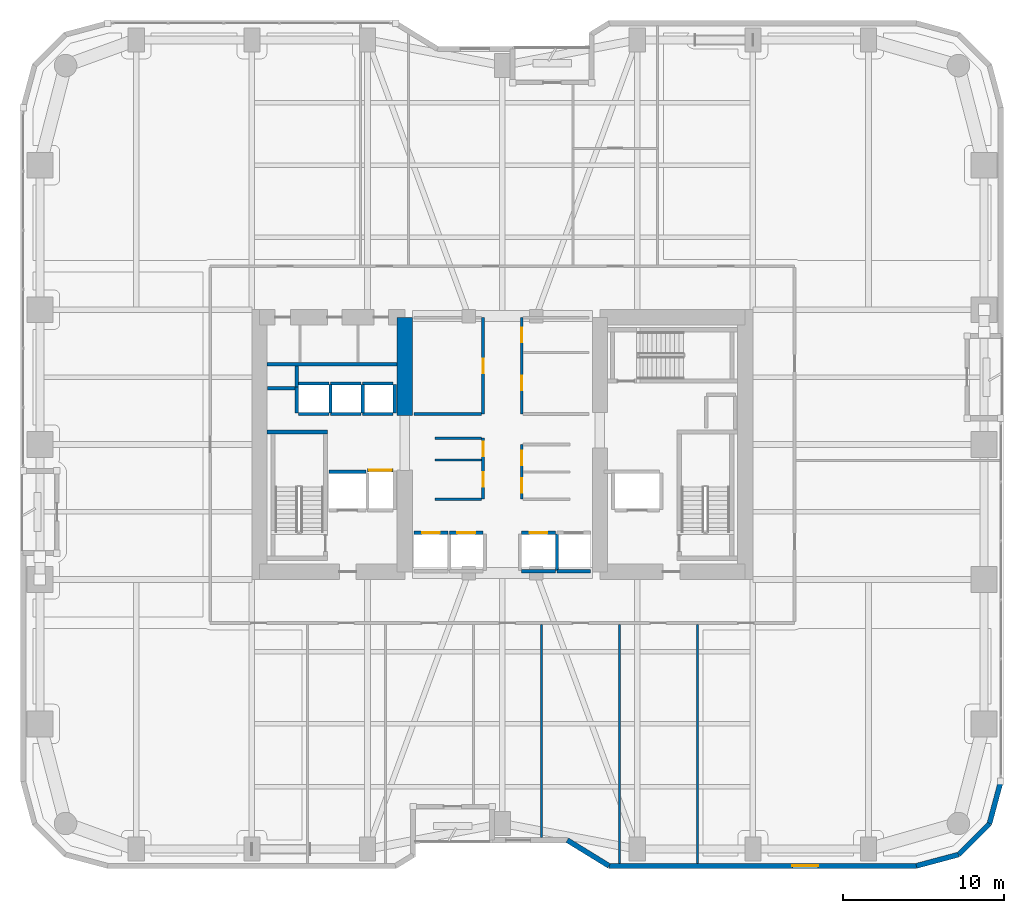
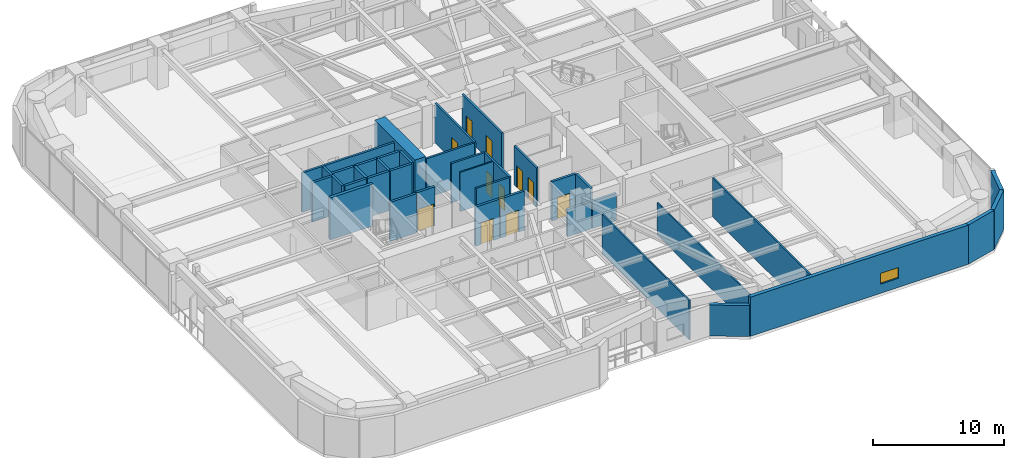
# One storey, part 23 of 29: 39 walls, 11 doors, 1 window, 12 openings.
"""IFC4 building model written with IfcOpenShell, lengths in metres."""

from ifc_helpers import new_model, si_unit, direction, frame, frame_2d, origin, place, context, subcontext, project, spatial, rectangle, extrude, material, layer, layer_set, type_object, element, fill, save


model = new_model("IFC4")

# Units and contexts
model_context = context("Model", 3, precision=1e-05, world=origin(), true_north=direction((0.0, 1.0)))
body_context = subcontext(model_context, "Body", "Model", "MODEL_VIEW")
ifc_project = project(units=[si_unit("LENGTHUNIT", "METRE"), si_unit("AREAUNIT", "SQUARE_METRE"), si_unit("VOLUMEUNIT", "CUBIC_METRE"), si_unit("PLANEANGLEUNIT", "RADIAN"), si_unit("MASSUNIT", "GRAM", prefix="KILO")], contexts=[model_context])

# Site, building, storey
site_placement = place(None, origin())
site = spatial("IfcSite", under=ifc_project, at=site_placement, CompositionType="ELEMENT")
building_placement = place(site_placement, origin())
building = spatial("IfcBuilding", under=site, at=building_placement, Name="Kiyonajd Concourse Tower", CompositionType="ELEMENT")
storey_placement = place(building_placement, frame((0.0, 0.0, 52.800048828125)))
storey = spatial("IfcBuildingStorey", under=building, at=storey_placement, Name="L14", CompositionType="ELEMENT", Elevation=52.800048828125)

# Walls
ifc_material_1 = material(Name="Concrete C80/95", Category="concrete")
ifc_layer_1 = layer(ifc_material_1, 0.949951171875)
ifc_layer_set_1 = layer_set([ifc_layer_1], Name="Concrete C80/95")
wall_type_1 = type_object("IfcWallType", Name="WL-CORE-950", PredefinedType="SHEAR", material=ifc_layer_set_1)
wall_1_placement = place(storey_placement, frame((41.925048828125, 37.800048828125, 0.0), z_axis=(0.0, 0.0, 1.0), x_axis=(0.0, 1.0, 0.0)))
element("IfcWall", 1, at=wall_1_placement, inside=storey, type_object=wall_type_1, Name="L14 West Core Inner North Shear Wall", PredefinedType="SHEAR", context=body_context, shape_type="SweptSolid", body=[
    extrude(rectangle(XDim=6.125, YDim=0.949951171875, at=frame_2d((3.0625, 0.0))), origin(), (0.0, 0.0, 1.0), 3.89990234375),
])
ifc_material_2 = material(Name="Precast concrete C50/60", Category="concrete")
ifc_layer_2 = layer(ifc_material_2, 0.320068359375)
ifc_layer_set_2 = layer_set([ifc_layer_2], Name="Precast concrete C50/60")
wall_type_2 = type_object("IfcWallType", Name="WL-EXT-320", PredefinedType="SOLIDWALL", material=ifc_layer_set_2)
wall_2_placement = place(storey_placement, frame((79.0400390625, 15.02099609375, 0.0), z_axis=(0.0, 0.0, 1.0), x_axis=(-0.25869736047, -0.965958423373, 0.0)))
element("IfcWall", 2, at=wall_2_placement, inside=storey, type_object=wall_type_2, Name="L14 Exterior Concrete Frame Wall 25", PredefinedType="SOLIDWALL", context=body_context, shape_type="SweptSolid", body=[
    extrude(rectangle(XDim=2.731201171875, YDim=0.320068359375, at=frame_2d((1.36572265625, 0.0))), origin(), (0.0, 0.0, 1.0), 3.639892578125),
])
wall_3_placement = place(storey_placement, frame((78.33349609375, 12.3828125, 0.0), z_axis=(0.0, 0.0, 1.0), x_axis=(-0.707106781187, -0.707106781187, 0.0)))
element("IfcWall", 3, at=wall_3_placement, inside=storey, type_object=wall_type_2, Name="L14 Exterior Concrete Frame Wall 26", PredefinedType="SOLIDWALL", context=body_context, shape_type="SweptSolid", body=[
    extrude(rectangle(XDim=2.7099609375, YDim=0.320068359375, at=frame_2d((1.35498046875, 0.0))), origin(), (0.0, 0.0, 1.0), 3.639892578125),
])
wall_4_placement = place(storey_placement, frame((76.417236328125, 10.466552734375, 0.0), z_axis=(0.0, 0.0, 1.0), x_axis=(-0.965964405026, -0.25867502435, 0.0)))
element("IfcWall", 4, at=wall_4_placement, inside=storey, type_object=wall_type_2, Name="L14 Exterior Concrete Frame Wall 27", PredefinedType="SOLIDWALL", context=body_context, shape_type="SweptSolid", body=[
    extrude(rectangle(XDim=2.7314453125, YDim=0.320068359375, at=frame_2d((1.36572265625, 0.0))), origin(), (0.0, 0.0, 1.0), 3.639892578125),
])

# Wall, opening, window
wall_5_placement = place(storey_placement, frame((73.77880859375, 9.760009765625, 0.0), z_axis=(0.0, 0.0, 1.0), x_axis=(-1.0, 0.0, 0.0)))
wall_5 = element("IfcWall", 5, at=wall_5_placement, inside=storey, type_object=wall_type_2, Name="L14 Exterior Concrete Frame Wall 28", PredefinedType="SOLIDWALL", context=body_context, shape_type="SweptSolid", body=[
    extrude(rectangle(XDim=19.133544921875, YDim=0.320068359375, at=frame_2d((9.56689453125, 0.0))), origin(), (0.0, 0.0, 1.0), 3.639892578125),
])
opening_1_placement = place(wall_5_placement, frame((6.114013671875, 0.0, 0.85009765625)))
opening_1 = element("IfcOpeningElement", 6, at=opening_1_placement, cuts=wall_5, Name="Opening WN6", PredefinedType="OPENING", context=body_context, shape_type="SweptSolid", body=[
    extrude(rectangle(XDim=1.60009765625, YDim=1.0, at=frame_2d((0.800048828125, 0.5))), frame((0.0, 0.169921875, 0.0), z_axis=(0.0, -1.0, 0.0), x_axis=(1.0, 0.0, 0.0)), (0.0, 0.0, 1.0), 0.340087890625),
])
ifc_material_3 = material(Name="Double Low-E Insulated Glass", Category="glass")
window_type = type_object("IfcWindowType", Name="WN-VIS-1600x1000", PartitioningType="SINGLE_PANEL", PredefinedType="WINDOW", material=ifc_material_3)
window_placement = place(opening_1_placement, origin())
window = element("IfcWindow", 7, at=window_placement, inside=storey, type_object=window_type, Name="L14 Modular Facade Vision Window 28", OverallHeight=1.0, OverallWidth=1.60009765625, PartitioningType="SINGLE_PANEL", PredefinedType="WINDOW", context=body_context, shape_type="SweptSolid", body=[
    extrude(rectangle(XDim=1.60009765625, YDim=1.0, at=frame_2d((0.800048828125, 0.5))), frame((0.0, 0.030029296875, 0.0), z_axis=(0.0, -1.0, 0.0), x_axis=(1.0, 0.0, 0.0)), (0.0, 0.0, 1.0), 0.06005859375),
])
fill(opening_1, window)

# Walls
wall_6_placement = place(storey_placement, frame((54.645263671875, 9.760009765625, 0.0), z_axis=(0.0, 0.0, 1.0), x_axis=(-0.851630857047, 0.524142044989, 0.0)))
element("IfcWall", 8, at=wall_6_placement, inside=storey, type_object=wall_type_2, Name="L14 Exterior Concrete Frame Wall 29", PredefinedType="SOLIDWALL", context=body_context, shape_type="SweptSolid", body=[
    extrude(rectangle(XDim=3.052734375, YDim=0.320068359375, at=frame_2d((1.5263671875, 0.0))), origin(), (0.0, 0.0, 1.0), 2.875),
])
ifc_material_4 = material(Name="Gypsum Board on Cold-Formed Steel Stud", Category="steel")
ifc_layer_3 = layer(ifc_material_4, 0.125)
ifc_layer_set_3 = layer_set([ifc_layer_3], Name="Gypsum Board on Cold-Formed Steel Stud")
wall_type_3 = type_object("IfcWallType", Name="WL-PART-125", PredefinedType="PARTITIONING", material=ifc_layer_set_3)
wall_7_placement = place(storey_placement, frame((43.800048828125, 35.031982421875, 0.0), z_axis=(0.0, 0.0, 1.0), x_axis=(1.0, 0.0, 0.0)))
element("IfcWall", 9, at=wall_7_placement, inside=storey, type_object=wall_type_3, Name="L14 Interior Partition Wall", PredefinedType="PARTITIONING", context=body_context, shape_type="SweptSolid", body=[
    extrude(rectangle(XDim=2.912841796875, YDim=0.125, at=frame_2d((1.45654296875, 0.0))), origin(), (0.0, 0.0, 1.0), 3.639892578125),
])
wall_8_placement = place(storey_placement, frame((50.429931640625, 11.514892578125, 0.0), z_axis=(0.0, 0.0, 1.0), x_axis=(0.0, 1.0, 0.0)))
element("IfcWall", 10, at=wall_8_placement, inside=storey, type_object=wall_type_3, Name="L14 Interior Partition Wall", PredefinedType="PARTITIONING", context=body_context, shape_type="SweptSolid", body=[
    extrude(rectangle(XDim=13.2880859375, YDim=0.125, at=frame_2d((6.64404296875, 0.0))), origin(), (0.0, 0.0, 1.0), 3.639892578125),
])
wall_9_placement = place(storey_placement, frame((55.2900390625, 9.9150390625, 0.0), z_axis=(0.0, 0.0, 1.0), x_axis=(0.0, 1.0, 0.0)))
element("IfcWall", 11, at=wall_9_placement, inside=storey, type_object=wall_type_3, Name="L14 Interior Partition Wall", PredefinedType="PARTITIONING", context=body_context, shape_type="SweptSolid", body=[
    extrude(rectangle(XDim=14.887939453125, YDim=0.125, at=frame_2d((7.44384765625, 0.0))), origin(), (0.0, 0.0, 1.0), 3.0029296875),
])
wall_10_placement = place(storey_placement, frame((60.139892578125, 9.9150390625, 0.0), z_axis=(0.0, 0.0, 1.0), x_axis=(0.0, 1.0, 0.0)))
element("IfcWall", 12, at=wall_10_placement, inside=storey, type_object=wall_type_3, Name="L14 Interior Partition Wall", PredefinedType="PARTITIONING", context=body_context, shape_type="SweptSolid", body=[
    extrude(rectangle(XDim=14.887939453125, YDim=0.125, at=frame_2d((7.44384765625, 0.0))), origin(), (0.0, 0.0, 1.0), 3.639892578125),
])
ifc_layer_4 = layer(ifc_material_4, 0.18994140625)
ifc_layer_set_4 = layer_set([ifc_layer_4], Name="Gypsum Board on Cold-Formed Steel Stud")
wall_type_4 = type_object("IfcWallType", Name="WL-PLMB-190", PredefinedType="PLUMBINGWALL", material=ifc_layer_set_4)
wall_11_placement = place(storey_placement, frame((33.35009765625, 41.0, 0.0), z_axis=(0.0, 0.0, 1.0), x_axis=(1.0, 0.0, 0.0)))
element("IfcWall", 13, at=wall_11_placement, inside=storey, type_object=wall_type_4, Name="L14 Interior Partition Wall", PredefinedType="PLUMBINGWALL", context=body_context, shape_type="SweptSolid", body=[
    extrude(rectangle(XDim=8.099853515625, YDim=0.18994140625, at=frame_2d((4.0498046875, 0.0))), origin(), (0.0, 0.0, 1.0), 3.639892578125),
])
ifc_layer_5 = layer(ifc_material_4, 0.2099609375)
ifc_layer_set_5 = layer_set([ifc_layer_5], Name="Gypsum Board on Cold-Formed Steel Stud")
wall_type_5 = type_object("IfcWallType", Name="WL-SHAFT-210", PredefinedType="PARTITIONING", material=ifc_layer_set_5)
wall_12_placement = place(storey_placement, frame((33.360107421875, 39.5, 0.0), z_axis=(0.0, 0.0, 1.0), x_axis=(1.0, 0.0, 0.0)))
element("IfcWall", 14, at=wall_12_placement, inside=storey, type_object=wall_type_5, Name="L14 Shaft Enclosure Wall", PredefinedType="PARTITIONING", context=body_context, shape_type="SweptSolid", body=[
    extrude(rectangle(XDim=1.85986328125, YDim=0.2099609375, at=frame_2d((0.929931640625, 0.0))), origin(), (0.0, 0.0, 1.0), 3.639892578125),
])
wall_13_placement = place(storey_placement, frame((35.199951171875, 39.580078125, 0.0), z_axis=(0.0, 0.0, 1.0), x_axis=(0.0, 1.0, 0.0)))
element("IfcWall", 15, at=wall_13_placement, inside=storey, type_object=wall_type_5, Name="L14 Shaft Enclosure Wall", PredefinedType="PARTITIONING", context=body_context, shape_type="SweptSolid", body=[
    extrude(rectangle(XDim=1.31982421875, YDim=0.2099609375, at=frame_2d((0.659912109375, 0.0))), origin(), (0.0, 0.0, 1.0), 3.639892578125),
])
wall_14_placement = place(storey_placement, frame((37.199951171875, 34.300048828125, 0.0), z_axis=(0.0, 0.0, 1.0), x_axis=(1.0, 0.0, 0.0)))
element("IfcWall", 16, at=wall_14_placement, inside=storey, type_object=wall_type_5, Name="L14 Shaft Enclosure Wall", PredefinedType="PARTITIONING", context=body_context, shape_type="SweptSolid", body=[
    extrude(rectangle(XDim=2.300048828125, YDim=0.2099609375, at=frame_2d((1.14990234375, 0.0))), origin(), (0.0, 0.0, 1.0), 3.639892578125),
])

# Wall, opening, door
wall_15_placement = place(storey_placement, frame((39.60009765625, 34.39990234375, 0.0), z_axis=(0.0, 0.0, 1.0), x_axis=(1.0, 0.0, 0.0)))
wall_15 = element("IfcWall", 17, at=wall_15_placement, inside=storey, type_object=wall_type_5, Name="L14 Shaft Enclosure Wall", PredefinedType="PARTITIONING", context=body_context, shape_type="SweptSolid", body=[
    extrude(rectangle(XDim=1.599853515625, YDim=0.2099609375, at=frame_2d((0.7998046875, 0.0))), origin(), (0.0, 0.0, 1.0), 3.639892578125),
])
opening_2_placement = place(wall_15_placement, frame((0.10009765625, 0.0, 0.0)))
opening_2 = element("IfcOpeningElement", 18, at=opening_2_placement, cuts=wall_15, Name="Opening LD3", PredefinedType="OPENING", context=body_context, shape_type="SweptSolid", body=[
    extrude(rectangle(XDim=1.39990234375, YDim=2.06005859375, at=frame_2d((0.699951171875, 1.030029296875))), frame((0.0, 0.114990234375, 0.0), z_axis=(0.0, -1.0, 0.0), x_axis=(1.0, 0.0, 0.0)), (0.0, 0.0, 1.0), 0.22998046875),
])
ifc_material_5 = material(Name="Brushed Stainless Steel Cab Assembly", Category="steel")
door_type_1 = type_object("IfcDoorType", Name="DR-LD-1400", OperationType="DOUBLE_DOOR_SLIDING", PredefinedType="DOOR", material=ifc_material_5)
door_1_placement = place(opening_2_placement, origin())
door_1 = element("IfcDoor", 19, at=door_1_placement, inside=storey, type_object=door_type_1, Name="L14 Lift SVL1 Sliding Landing Door", OperationType="DOUBLE_DOOR_SLIDING", OverallHeight=2.06005859375, OverallWidth=1.39990234375, PredefinedType="DOOR", context=body_context, shape_type="SweptSolid", body=[
    extrude(rectangle(XDim=1.39990234375, YDim=2.06005859375, at=frame_2d((0.699951171875, 1.030029296875))), frame((0.0, 0.02490234375, 0.0), z_axis=(0.0, -1.0, 0.0), x_axis=(1.0, 0.0, 0.0)), (0.0, 0.0, 1.0), 0.050048828125),
])
fill(opening_2, door_1)

wall_16_placement = place(storey_placement, frame((42.5, 30.5, 0.0), z_axis=(0.0, 0.0, 1.0), x_axis=(1.0, 0.0, 0.0)))
wall_16 = element("IfcWall", 20, at=wall_16_placement, inside=storey, type_object=wall_type_5, Name="L14 Shaft Enclosure Wall", PredefinedType="PARTITIONING", context=body_context, shape_type="SweptSolid", body=[
    extrude(rectangle(XDim=2.10009765625, YDim=0.2099609375, at=frame_2d((1.050048828125, 0.0))), origin(), (0.0, 0.0, 1.0), 3.639892578125),
])
opening_3_placement = place(wall_16_placement, frame((0.5, 0.0, 0.0)))
opening_3 = element("IfcOpeningElement", 21, at=opening_3_placement, cuts=wall_16, Name="Opening LD1", PredefinedType="OPENING", context=body_context, shape_type="SweptSolid", body=[
    extrude(rectangle(XDim=1.10009765625, YDim=2.0400390625, at=frame_2d((0.550048828125, 1.02001953125))), frame((0.0, 0.114990234375, 0.0), z_axis=(0.0, -1.0, 0.0), x_axis=(1.0, 0.0, 0.0)), (0.0, 0.0, 1.0), 0.22998046875),
])
door_type_2 = type_object("IfcDoorType", Name="DR-LD-1100", OperationType="DOUBLE_DOOR_SLIDING", PredefinedType="DOOR", material=ifc_material_5)
door_2_placement = place(opening_3_placement, origin())
door_2 = element("IfcDoor", 22, at=door_2_placement, inside=storey, type_object=door_type_2, Name="L14 Lift PL-L1 Sliding Landing Door", OperationType="DOUBLE_DOOR_SLIDING", OverallHeight=2.0400390625, OverallWidth=1.10009765625, PredefinedType="DOOR", context=body_context, shape_type="SweptSolid", body=[
    extrude(rectangle(XDim=1.10009765625, YDim=2.0400390625, at=frame_2d((0.550048828125, 1.02001953125))), frame((0.0, 0.02490234375, 0.0), z_axis=(0.0, -1.0, 0.0), x_axis=(1.0, 0.0, 0.0)), (0.0, 0.0, 1.0), 0.050048828125),
])
fill(opening_3, door_2)

wall_17_placement = place(storey_placement, frame((44.699951171875, 30.5, 0.0), z_axis=(0.0, 0.0, 1.0), x_axis=(1.0, 0.0, 0.0)))
wall_17 = element("IfcWall", 23, at=wall_17_placement, inside=storey, type_object=wall_type_5, Name="L14 Shaft Enclosure Wall", PredefinedType="PARTITIONING", context=body_context, shape_type="SweptSolid", body=[
    extrude(rectangle(XDim=2.10009765625, YDim=0.2099609375, at=frame_2d((1.050048828125, 0.0))), origin(), (0.0, 0.0, 1.0), 3.639892578125),
])
opening_4_placement = place(wall_17_placement, frame((0.5, 0.0, 0.0)))
opening_4 = element("IfcOpeningElement", 24, at=opening_4_placement, cuts=wall_17, Name="Opening LD1", PredefinedType="OPENING", context=body_context, shape_type="SweptSolid", body=[
    extrude(rectangle(XDim=1.10009765625, YDim=2.0400390625, at=frame_2d((0.550048828125, 1.02001953125))), frame((0.0, 0.114990234375, 0.0), z_axis=(0.0, -1.0, 0.0), x_axis=(1.0, 0.0, 0.0)), (0.0, 0.0, 1.0), 0.22998046875),
])
door_3_placement = place(opening_4_placement, origin())
door_3 = element("IfcDoor", 25, at=door_3_placement, inside=storey, type_object=door_type_2, Name="L14 Lift PL-L2 Sliding Landing Door", OperationType="DOUBLE_DOOR_SLIDING", OverallHeight=2.0400390625, OverallWidth=1.10009765625, PredefinedType="DOOR", context=body_context, shape_type="SweptSolid", body=[
    extrude(rectangle(XDim=1.10009765625, YDim=2.0400390625, at=frame_2d((0.550048828125, 1.02001953125))), frame((0.0, 0.02490234375, 0.0), z_axis=(0.0, -1.0, 0.0), x_axis=(1.0, 0.0, 0.0)), (0.0, 0.0, 1.0), 0.050048828125),
])
fill(opening_4, door_3)

wall_18_placement = place(storey_placement, frame((49.199951171875, 30.5, 0.0), z_axis=(0.0, 0.0, 1.0), x_axis=(1.0, 0.0, 0.0)))
wall_18 = element("IfcWall", 26, at=wall_18_placement, inside=storey, type_object=wall_type_5, Name="L14 Shaft Enclosure Wall", PredefinedType="PARTITIONING", context=body_context, shape_type="SweptSolid", body=[
    extrude(rectangle(XDim=2.10009765625, YDim=0.2099609375, at=frame_2d((1.050048828125, 0.0))), origin(), (0.0, 0.0, 1.0), 3.639892578125),
])
opening_5_placement = place(wall_18_placement, frame((0.5, 0.0, 0.0)))
opening_5 = element("IfcOpeningElement", 27, at=opening_5_placement, cuts=wall_18, Name="Opening LD1", PredefinedType="OPENING", context=body_context, shape_type="SweptSolid", body=[
    extrude(rectangle(XDim=1.10009765625, YDim=2.0400390625, at=frame_2d((0.550048828125, 1.02001953125))), frame((0.0, 0.114990234375, 0.0), z_axis=(0.0, -1.0, 0.0), x_axis=(1.0, 0.0, 0.0)), (0.0, 0.0, 1.0), 0.22998046875),
])
door_4_placement = place(opening_5_placement, origin())
door_4 = element("IfcDoor", 28, at=door_4_placement, inside=storey, type_object=door_type_2, Name="L14 Lift PL-L3 Sliding Landing Door", OperationType="DOUBLE_DOOR_SLIDING", OverallHeight=2.0400390625, OverallWidth=1.10009765625, PredefinedType="DOOR", context=body_context, shape_type="SweptSolid", body=[
    extrude(rectangle(XDim=1.10009765625, YDim=2.0400390625, at=frame_2d((0.550048828125, 1.02001953125))), frame((0.0, 0.02490234375, 0.0), z_axis=(0.0, -1.0, 0.0), x_axis=(1.0, 0.0, 0.0)), (0.0, 0.0, 1.0), 0.050048828125),
])
fill(opening_5, door_4)

# Walls
wall_19_placement = place(storey_placement, frame((49.199951171875, 28.10009765625, 0.0), z_axis=(0.0, 0.0, 1.0), x_axis=(1.0, 0.0, 0.0)))
element("IfcWall", 29, at=wall_19_placement, inside=storey, type_object=wall_type_5, Name="L14 Shaft Enclosure Wall", PredefinedType="PARTITIONING", context=body_context, shape_type="SweptSolid", body=[
    extrude(rectangle(XDim=2.10009765625, YDim=0.2099609375, at=frame_2d((1.050048828125, 0.0))), origin(), (0.0, 0.0, 1.0), 2.52490234375),
])
wall_20_placement = place(storey_placement, frame((51.39990234375, 28.159912109375, 0.0), z_axis=(0.0, 0.0, 1.0), x_axis=(0.0, 1.0, 0.0)))
element("IfcWall", 30, at=wall_20_placement, inside=storey, type_object=wall_type_5, Name="L14 Shaft Enclosure Wall", PredefinedType="PARTITIONING", context=body_context, shape_type="SweptSolid", body=[
    extrude(rectangle(XDim=2.280029296875, YDim=0.2099609375, at=frame_2d((1.14013671875, 0.0))), origin(), (0.0, 0.0, 1.0), 3.639892578125),
])
wall_21_placement = place(storey_placement, frame((51.39990234375, 28.10009765625, 0.0), z_axis=(0.0, 0.0, 1.0), x_axis=(1.0, 0.0, 0.0)))
element("IfcWall", 31, at=wall_21_placement, inside=storey, type_object=wall_type_5, Name="L14 Shaft Enclosure Wall", PredefinedType="PARTITIONING", context=body_context, shape_type="SweptSolid", body=[
    extrude(rectangle(XDim=2.10009765625, YDim=0.2099609375, at=frame_2d((1.050048828125, 0.0))), origin(), (0.0, 0.0, 1.0), 2.52490234375),
])
for number, where, z_axis, x_axis, name in (
    (32, (35.300048828125, 37.89990234375, 0.0), (0.0, 0.0, 1.0), (1.0, 0.0, 0.0), "L14 Shaft Enclosure Wall"),
    (33, (35.300048828125, 39.800048828125, 0.0), (0.0, 0.0, 1.0), (1.0, 0.0, 0.0), "L14 Shaft Enclosure Wall"),
):
    element("IfcWall", number, at=place(storey_placement, frame(where, z_axis=z_axis, x_axis=x_axis)), inside=storey, type_object=wall_type_5, Name=name, PredefinedType="PARTITIONING", context=body_context, shape_type="SweptSolid", body=[
        extrude(rectangle(XDim=1.89990234375, YDim=0.2099609375, at=frame_2d((0.949951171875, 0.0))), origin(), (0.0, 0.0, 1.0), 3.639892578125),
    ])
wall_22_placement = place(storey_placement, frame((35.199951171875, 37.9599609375, 0.0), z_axis=(0.0, 0.0, 1.0), x_axis=(0.0, 1.0, 0.0)))
element("IfcWall", 34, at=wall_22_placement, inside=storey, type_object=wall_type_5, Name="L14 Shaft Enclosure Wall", PredefinedType="PARTITIONING", context=body_context, shape_type="SweptSolid", body=[
    extrude(rectangle(XDim=1.6201171875, YDim=0.2099609375, at=frame_2d((0.81005859375, 0.0))), origin(), (0.0, 0.0, 1.0), 3.639892578125),
])
wall_23_placement = place(storey_placement, frame((37.300048828125, 37.9599609375, 0.0), z_axis=(0.0, 0.0, 1.0), x_axis=(0.0, 1.0, 0.0)))
element("IfcWall", 35, at=wall_23_placement, inside=storey, type_object=wall_type_5, Name="L14 Shaft Enclosure Wall", PredefinedType="PARTITIONING", context=body_context, shape_type="SweptSolid", body=[
    extrude(rectangle(XDim=1.780029296875, YDim=0.2099609375, at=frame_2d((0.89013671875, 0.0))), origin(), (0.0, 0.0, 1.0), 3.639892578125),
])
for number, where, z_axis, x_axis, name in (
    (36, (37.300048828125, 37.89990234375, 0.0), (0.0, 0.0, 1.0), (1.0, 0.0, 0.0), "L14 Shaft Enclosure Wall"),
    (37, (37.300048828125, 39.800048828125, 0.0), (0.0, 0.0, 1.0), (1.0, 0.0, 0.0), "L14 Shaft Enclosure Wall"),
):
    element("IfcWall", number, at=place(storey_placement, frame(where, z_axis=z_axis, x_axis=x_axis)), inside=storey, type_object=wall_type_5, Name=name, PredefinedType="PARTITIONING", context=body_context, shape_type="SweptSolid", body=[
        extrude(rectangle(XDim=1.89990234375, YDim=0.2099609375, at=frame_2d((0.949951171875, 0.0))), origin(), (0.0, 0.0, 1.0), 3.639892578125),
    ])
wall_24_placement = place(storey_placement, frame((39.300048828125, 37.9599609375, 0.0), z_axis=(0.0, 0.0, 1.0), x_axis=(0.0, 1.0, 0.0)))
element("IfcWall", 38, at=wall_24_placement, inside=storey, type_object=wall_type_5, Name="L14 Shaft Enclosure Wall", PredefinedType="PARTITIONING", context=body_context, shape_type="SweptSolid", body=[
    extrude(rectangle(XDim=1.780029296875, YDim=0.2099609375, at=frame_2d((0.89013671875, 0.0))), origin(), (0.0, 0.0, 1.0), 3.639892578125),
])
for number, where, z_axis, x_axis, name in (
    (39, (39.300048828125, 37.89990234375, 0.0), (0.0, 0.0, 1.0), (1.0, 0.0, 0.0), "L14 Shaft Enclosure Wall"),
    (40, (39.300048828125, 39.800048828125, 0.0), (0.0, 0.0, 1.0), (1.0, 0.0, 0.0), "L14 Shaft Enclosure Wall"),
):
    element("IfcWall", number, at=place(storey_placement, frame(where, z_axis=z_axis, x_axis=x_axis)), inside=storey, type_object=wall_type_5, Name=name, PredefinedType="PARTITIONING", context=body_context, shape_type="SweptSolid", body=[
        extrude(rectangle(XDim=1.89990234375, YDim=0.2099609375, at=frame_2d((0.949951171875, 0.0))), origin(), (0.0, 0.0, 1.0), 3.639892578125),
    ])
wall_25_placement = place(storey_placement, frame((41.300048828125, 37.9599609375, 0.0), z_axis=(0.0, 0.0, 1.0), x_axis=(0.0, 1.0, 0.0)))
element("IfcWall", 41, at=wall_25_placement, inside=storey, type_object=wall_type_5, Name="L14 Shaft Enclosure Wall", PredefinedType="PARTITIONING", context=body_context, shape_type="SweptSolid", body=[
    extrude(rectangle(XDim=1.780029296875, YDim=0.2099609375, at=frame_2d((0.89013671875, 0.0))), origin(), (0.0, 0.0, 1.0), 3.639892578125),
])

# Wall, openings, doors
ifc_layer_6 = layer(ifc_material_4, 0.169921875)
ifc_layer_set_6 = layer_set([ifc_layer_6], Name="Gypsum Board on Cold-Formed Steel Stud")
wall_type_6 = type_object("IfcWallType", Name="WL-SMK-170", PredefinedType="PARTITIONING", material=ifc_layer_set_6)
wall_26_placement = place(storey_placement, frame((46.800048828125, 32.60009765625, 0.0), z_axis=(0.0, 0.0, 1.0), x_axis=(0.0, 1.0, 0.0)))
wall_26 = element("IfcWall", 42, at=wall_26_placement, inside=storey, type_object=wall_type_6, Name="L14 Interior Partition Wall", PredefinedType="PARTITIONING", context=body_context, shape_type="SweptSolid", body=[
    extrude(rectangle(XDim=3.7998046875, YDim=0.169921875, at=frame_2d((1.89990234375, 0.0))), origin(), (0.0, 0.0, 1.0), 3.639892578125),
])
opening_6_placement = place(wall_26_placement, frame((0.76611328125, 0.0, 0.0)))
opening_6 = element("IfcOpeningElement", 43, at=opening_6_placement, cuts=wall_26, Name="Opening DF4", PredefinedType="OPENING", context=body_context, shape_type="SweptSolid", body=[
    extrude(rectangle(XDim=0.89990234375, YDim=2.02001953125, at=frame_2d((0.449951171875, 1.010009765625))), frame((0.0, 0.094970703125, 0.0), z_axis=(0.0, -1.0, 0.0), x_axis=(1.0, 0.0, 0.0)), (0.0, 0.0, 1.0), 0.18994140625),
])
opening_7_placement = place(wall_26_placement, frame((2.666015625, 0.0, 0.0)))
opening_7 = element("IfcOpeningElement", 44, at=opening_7_placement, cuts=wall_26, Name="Opening DF4", PredefinedType="OPENING", context=body_context, shape_type="SweptSolid", body=[
    extrude(rectangle(XDim=0.89990234375, YDim=2.02001953125, at=frame_2d((0.449951171875, 1.010009765625))), frame((0.0, 0.094970703125, 0.0), z_axis=(0.0, -1.0, 0.0), x_axis=(1.0, 0.0, 0.0)), (0.0, 0.0, 1.0), 0.18994140625),
])
door_type_3 = type_object("IfcDoorType", Name="DR-FD60-900", OperationType="NOTDEFINED", PredefinedType="DOOR", material=ifc_material_5)
door_5_placement = place(opening_6_placement, origin())
door_5 = element("IfcDoor", 45, at=door_5_placement, inside=storey, type_object=door_type_3, Name="L14 Interior Door", OperationType="SINGLE_SWING_RIGHT", OverallHeight=2.02001953125, OverallWidth=0.89990234375, PredefinedType="DOOR", context=body_context, shape_type="SweptSolid", body=[
    extrude(rectangle(XDim=0.89990234375, YDim=2.02001953125, at=frame_2d((0.449951171875, 1.010009765625))), frame((0.0, 0.02490234375, 0.0), z_axis=(0.0, -1.0, 0.0), x_axis=(1.0, 0.0, 0.0)), (0.0, 0.0, 1.0), 0.050048828125),
])
fill(opening_6, door_5)
door_6_placement = place(opening_7_placement, origin())
door_6 = element("IfcDoor", 46, at=door_6_placement, inside=storey, type_object=door_type_3, Name="L14 Interior Door", OperationType="SINGLE_SWING_LEFT", OverallHeight=2.02001953125, OverallWidth=0.89990234375, PredefinedType="DOOR", context=body_context, shape_type="SweptSolid", body=[
    extrude(rectangle(XDim=0.89990234375, YDim=2.02001953125, at=frame_2d((0.449951171875, 1.010009765625))), frame((0.0, 0.02490234375, 0.0), z_axis=(0.0, -1.0, 0.0), x_axis=(1.0, 0.0, 0.0)), (0.0, 0.0, 1.0), 0.050048828125),
])
fill(opening_7, door_6)

# Walls
for number, where, z_axis, x_axis, name in (
    (47, (43.800048828125, 32.60009765625, 0.0), (0.0, 0.0, 1.0), (1.0, 0.0, 0.0), "L14 Interior Partition Wall"),
    (48, (43.800048828125, 36.39990234375, 0.0), (0.0, 0.0, 1.0), (1.0, 0.0, 0.0), "L14 Interior Partition Wall"),
):
    element("IfcWall", number, at=place(storey_placement, frame(where, z_axis=z_axis, x_axis=x_axis)), inside=storey, type_object=wall_type_6, Name=name, PredefinedType="PARTITIONING", context=body_context, shape_type="SweptSolid", body=[
        extrude(rectangle(XDim=2.912841796875, YDim=0.169921875, at=frame_2d((1.45654296875, 0.0))), origin(), (0.0, 0.0, 1.0), 3.639892578125),
    ])

# Wall, openings, doors
wall_27_placement = place(storey_placement, frame((49.199951171875, 32.60009765625, 0.0), z_axis=(0.0, 0.0, 1.0), x_axis=(0.0, 1.0, 0.0)))
wall_27 = element("IfcWall", 49, at=wall_27_placement, inside=storey, type_object=wall_type_6, Name="L14 Interior Partition Wall", PredefinedType="PARTITIONING", context=body_context, shape_type="SweptSolid", body=[
    extrude(rectangle(XDim=3.39990234375, YDim=0.169921875, at=frame_2d((1.699951171875, 0.0))), origin(), (0.0, 0.0, 1.0), 3.639892578125),
])
opening_8_placement = place(wall_27_placement, frame((0.39990234375, 0.0, 0.0)))
opening_8 = element("IfcOpeningElement", 50, at=opening_8_placement, cuts=wall_27, Name="Opening DI2", PredefinedType="OPENING", context=body_context, shape_type="SweptSolid", body=[
    extrude(rectangle(XDim=0.89990234375, YDim=2.02001953125, at=frame_2d((0.449951171875, 1.010009765625))), frame((0.0, 0.094970703125, 0.0), z_axis=(0.0, -1.0, 0.0), x_axis=(1.0, 0.0, 0.0)), (0.0, 0.0, 1.0), 0.18994140625),
])
opening_9_placement = place(wall_27_placement, frame((2.10009765625, 0.0, 0.0)))
opening_9 = element("IfcOpeningElement", 51, at=opening_9_placement, cuts=wall_27, Name="Opening DI2", PredefinedType="OPENING", context=body_context, shape_type="SweptSolid", body=[
    extrude(rectangle(XDim=0.89990234375, YDim=2.02001953125, at=frame_2d((0.449951171875, 1.010009765625))), frame((0.0, 0.094970703125, 0.0), z_axis=(0.0, -1.0, 0.0), x_axis=(1.0, 0.0, 0.0)), (0.0, 0.0, 1.0), 0.18994140625),
])
ifc_material_6 = material(Name="Natural Oak Acoustic Timber Veneer", Category="wood")
door_type_4 = type_object("IfcDoorType", Name="DR-INT-900", OperationType="NOTDEFINED", PredefinedType="DOOR", material=ifc_material_6)
door_7_placement = place(opening_8_placement, origin())
door_7 = element("IfcDoor", 52, at=door_7_placement, inside=storey, type_object=door_type_4, Name="L14 Interior Door", OperationType="SINGLE_SWING_RIGHT", OverallHeight=2.02001953125, OverallWidth=0.89990234375, PredefinedType="DOOR", context=body_context, shape_type="SweptSolid", body=[
    extrude(rectangle(XDim=0.89990234375, YDim=2.02001953125, at=frame_2d((0.449951171875, 1.010009765625))), frame((0.0, 0.02490234375, 0.0), z_axis=(0.0, -1.0, 0.0), x_axis=(1.0, 0.0, 0.0)), (0.0, 0.0, 1.0), 0.050048828125),
])
fill(opening_8, door_7)
door_8_placement = place(opening_9_placement, origin())
door_8 = element("IfcDoor", 53, at=door_8_placement, inside=storey, type_object=door_type_4, Name="L14 Interior Door", OperationType="SINGLE_SWING_LEFT", OverallHeight=2.02001953125, OverallWidth=0.89990234375, PredefinedType="DOOR", context=body_context, shape_type="SweptSolid", body=[
    extrude(rectangle(XDim=0.89990234375, YDim=2.02001953125, at=frame_2d((0.449951171875, 1.010009765625))), frame((0.0, 0.02490234375, 0.0), z_axis=(0.0, -1.0, 0.0), x_axis=(1.0, 0.0, 0.0)), (0.0, 0.0, 1.0), 0.050048828125),
])
fill(opening_9, door_8)

# Wall, opening, door
wall_28_placement = place(storey_placement, frame((46.800048828125, 37.89990234375, 0.0), z_axis=(0.0, 0.0, 1.0), x_axis=(0.0, 1.0, 0.0)))
wall_28 = element("IfcWall", 54, at=wall_28_placement, inside=storey, type_object=wall_type_6, Name="L14 Interior Partition Wall", PredefinedType="PARTITIONING", context=body_context, shape_type="SweptSolid", body=[
    extrude(rectangle(XDim=6.0, YDim=0.169921875, at=frame_2d((3.0, 0.0))), origin(), (0.0, 0.0, 1.0), 3.639892578125),
])
opening_10_placement = place(wall_28_placement, frame((2.550048828125, 0.0, 0.0)))
opening_10 = element("IfcOpeningElement", 55, at=opening_10_placement, cuts=wall_28, Name="Opening DI2", PredefinedType="OPENING", context=body_context, shape_type="SweptSolid", body=[
    extrude(rectangle(XDim=0.89990234375, YDim=2.02001953125, at=frame_2d((0.449951171875, 1.010009765625))), frame((0.0, 0.094970703125, 0.0), z_axis=(0.0, -1.0, 0.0), x_axis=(1.0, 0.0, 0.0)), (0.0, 0.0, 1.0), 0.18994140625),
])
door_9_placement = place(opening_10_placement, origin())
door_9 = element("IfcDoor", 56, at=door_9_placement, inside=storey, type_object=door_type_4, Name="L14 Interior Door", OperationType="SINGLE_SWING_RIGHT", OverallHeight=2.02001953125, OverallWidth=0.89990234375, PredefinedType="DOOR", context=body_context, shape_type="SweptSolid", body=[
    extrude(rectangle(XDim=0.89990234375, YDim=2.02001953125, at=frame_2d((0.449951171875, 1.010009765625))), frame((0.0, 0.02490234375, 0.0), z_axis=(0.0, -1.0, 0.0), x_axis=(1.0, 0.0, 0.0)), (0.0, 0.0, 1.0), 0.050048828125),
])
fill(opening_10, door_9)

# Wall
wall_29_placement = place(storey_placement, frame((42.5, 37.89990234375, 0.0), z_axis=(0.0, 0.0, 1.0), x_axis=(1.0, 0.0, 0.0)))
element("IfcWall", 57, at=wall_29_placement, inside=storey, type_object=wall_type_6, Name="L14 Interior Partition Wall", PredefinedType="PARTITIONING", context=body_context, shape_type="SweptSolid", body=[
    extrude(rectangle(XDim=4.212890625, YDim=0.169921875, at=frame_2d((2.1064453125, 0.0))), origin(), (0.0, 0.0, 1.0), 3.639892578125),
])

# Wall, openings, doors
wall_30_placement = place(storey_placement, frame((49.199951171875, 37.89990234375, 0.0), z_axis=(0.0, 0.0, 1.0), x_axis=(0.0, 1.0, 0.0)))
wall_30 = element("IfcWall", 58, at=wall_30_placement, inside=storey, type_object=wall_type_6, Name="L14 Interior Partition Wall", PredefinedType="PARTITIONING", context=body_context, shape_type="SweptSolid", body=[
    extrude(rectangle(XDim=6.0, YDim=0.169921875, at=frame_2d((3.0, 0.0))), origin(), (0.0, 0.0, 1.0), 3.639892578125),
])
opening_11_placement = place(wall_30_placement, frame((1.469970703125, 0.0, 0.0)))
opening_11 = element("IfcOpeningElement", 59, at=opening_11_placement, cuts=wall_30, Name="Opening DF4", PredefinedType="OPENING", context=body_context, shape_type="SweptSolid", body=[
    extrude(rectangle(XDim=0.89990234375, YDim=2.02001953125, at=frame_2d((0.449951171875, 1.010009765625))), frame((0.0, 0.094970703125, 0.0), z_axis=(0.0, -1.0, 0.0), x_axis=(1.0, 0.0, 0.0)), (0.0, 0.0, 1.0), 0.18994140625),
])
opening_12_placement = place(wall_30_placement, frame((4.469970703125, 0.0, 0.0)))
opening_12 = element("IfcOpeningElement", 60, at=opening_12_placement, cuts=wall_30, Name="Opening DF4", PredefinedType="OPENING", context=body_context, shape_type="SweptSolid", body=[
    extrude(rectangle(XDim=0.89990234375, YDim=2.02001953125, at=frame_2d((0.449951171875, 1.010009765625))), frame((0.0, 0.094970703125, 0.0), z_axis=(0.0, -1.0, 0.0), x_axis=(1.0, 0.0, 0.0)), (0.0, 0.0, 1.0), 0.18994140625),
])
door_10_placement = place(opening_11_placement, origin())
door_10 = element("IfcDoor", 61, at=door_10_placement, inside=storey, type_object=door_type_3, Name="L14 Interior Door", OperationType="SINGLE_SWING_LEFT", OverallHeight=2.02001953125, OverallWidth=0.89990234375, PredefinedType="DOOR", context=body_context, shape_type="SweptSolid", body=[
    extrude(rectangle(XDim=0.89990234375, YDim=2.02001953125, at=frame_2d((0.449951171875, 1.010009765625))), frame((0.0, 0.02490234375, 0.0), z_axis=(0.0, -1.0, 0.0), x_axis=(1.0, 0.0, 0.0)), (0.0, 0.0, 1.0), 0.050048828125),
])
fill(opening_11, door_10)
door_11_placement = place(opening_12_placement, origin())
door_11 = element("IfcDoor", 62, at=door_11_placement, inside=storey, type_object=door_type_3, Name="L14 Interior Door", OperationType="SINGLE_SWING_RIGHT", OverallHeight=2.02001953125, OverallWidth=0.89990234375, PredefinedType="DOOR", context=body_context, shape_type="SweptSolid", body=[
    extrude(rectangle(XDim=0.89990234375, YDim=2.02001953125, at=frame_2d((0.449951171875, 1.010009765625))), frame((0.0, 0.02490234375, 0.0), z_axis=(0.0, -1.0, 0.0), x_axis=(1.0, 0.0, 0.0)), (0.0, 0.0, 1.0), 0.050048828125),
])
fill(opening_12, door_11)

# Wall
ifc_material_7 = material(Name="Concrete C50/60", Category="concrete")
ifc_layer_7 = layer(ifc_material_7, 0.260009765625)
ifc_layer_set_7 = layer_set([ifc_layer_7], Name="Concrete C50/60")
wall_type_7 = type_object("IfcWallType", Name="WL-STAIR-260", PredefinedType="SHEAR", material=ifc_layer_set_7)
wall_31_placement = place(storey_placement, frame((33.35009765625, 36.780029296875, 0.0), z_axis=(0.0, 0.0, 1.0), x_axis=(1.0, 0.0, 0.0)))
element("IfcWall", 63, at=wall_31_placement, inside=storey, type_object=wall_type_7, Name="L14 Stair ST1 Structural North Wall", PredefinedType="SHEAR", context=body_context, shape_type="SweptSolid", body=[
    extrude(rectangle(XDim=3.760009765625, YDim=0.260009765625, at=frame_2d((1.8798828125, 0.0))), origin(), (0.0, 0.0, 1.0), 3.89990234375),
])

save(model, "model.ifc")
